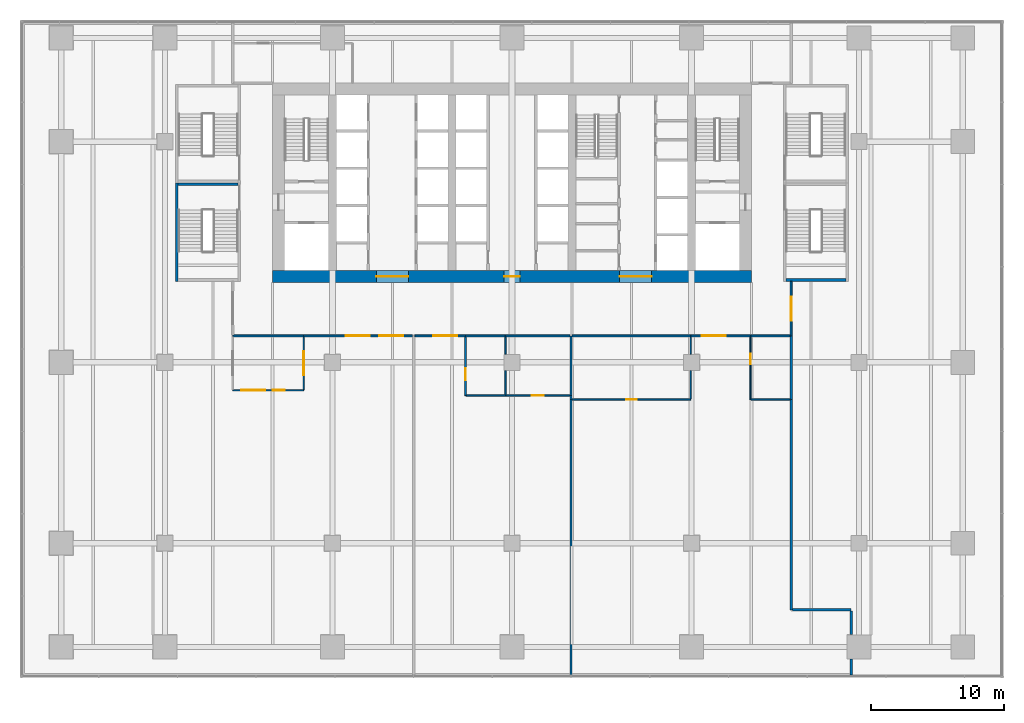
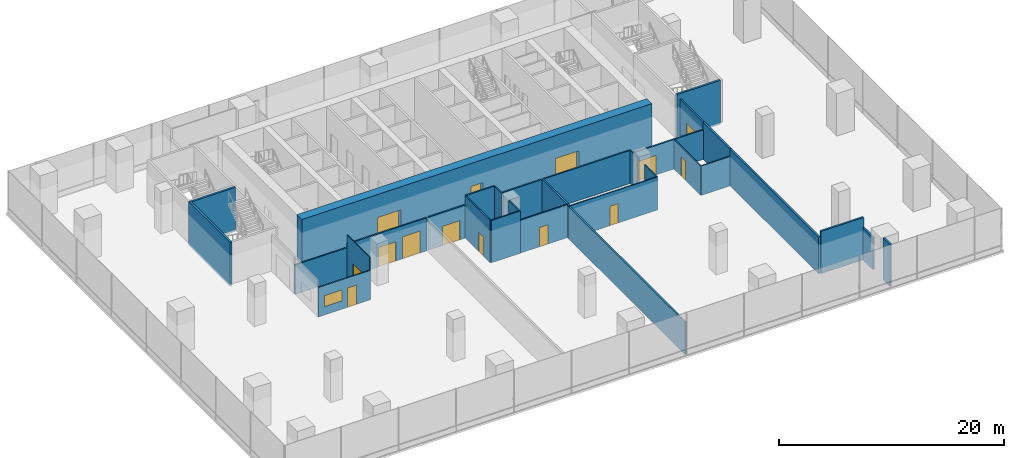
# One storey, part 19 of 28: 33 walls, 12 doors, 3 windows, 15 openings.
"""IFC4 building model written with IfcOpenShell, lengths in metres."""

from ifc_helpers import new_model, si_unit, direction, frame, frame_2d, origin, place, context, subcontext, project, spatial, rectangle, extrude, material, layer, layer_set, type_object, element, fill, save


model = new_model("IFC4")

# Units and contexts
model_context = context("Model", 3, precision=1e-05, world=origin(), true_north=direction((0.0, 1.0)))
body_context = subcontext(model_context, "Body", "Model", "MODEL_VIEW")
ifc_project = project(units=[si_unit("LENGTHUNIT", "METRE"), si_unit("AREAUNIT", "SQUARE_METRE"), si_unit("VOLUMEUNIT", "CUBIC_METRE"), si_unit("PLANEANGLEUNIT", "RADIAN"), si_unit("MASSUNIT", "GRAM", prefix="KILO")], contexts=[model_context])

# Site, building, storey
site_placement = place(None, origin())
site = spatial("IfcSite", under=ifc_project, at=site_placement, CompositionType="ELEMENT")
building_placement = place(site_placement, origin())
building = spatial("IfcBuilding", under=site, at=building_placement, Name="Rattan Terrace Tower", CompositionType="ELEMENT")
storey_placement = place(building_placement, frame((0.0, 0.0, 22.199951171875)))
storey = spatial("IfcBuildingStorey", under=building, at=storey_placement, Name="L04", CompositionType="ELEMENT", Elevation=22.199951171875)

# Wall, openings, doors
ifc_material_1 = material(Name="Concrete C70/85", Category="concrete")
ifc_layer_1 = layer(ifc_material_1, 0.89990234375)
ifc_layer_set_1 = layer_set([ifc_layer_1], Name="Core ring wall 900 C70/85")
wall_type_1 = type_object("IfcWallType", Name="Core ring wall 900 C70/85", PredefinedType="SHEAR", material=ifc_layer_set_1)
wall_1_placement = place(storey_placement, frame((-18.0, -7.050048828125, -0.199951171875), z_axis=(0.0, 0.0, 1.0), x_axis=(1.0, 0.0, 0.0)))
wall_1 = element("IfcWall", 1, at=wall_1_placement, inside=storey, type_object=wall_type_1, Name="Rear core wall south", PredefinedType="SHEAR", context=body_context, shape_type="SweptSolid", body=[
    extrude(rectangle(XDim=36.0, YDim=0.89990234375, at=frame_2d((18.0, 0.0))), origin(), (0.0, 0.0, 1.0), 4.800048828125),
])
opening_1_placement = place(wall_1_placement, frame((7.800048828125, 0.0, 0.199951171875)))
opening_1 = element("IfcOpeningElement", 2, at=opening_1_placement, cuts=wall_1, Name="Opening L04-D007", PredefinedType="OPENING", context=body_context, shape_type="SweptSolid", body=[
    extrude(rectangle(XDim=2.39990234375, YDim=2.10009765625, at=frame_2d((1.199951171875, 1.050048828125))), frame((0.0, 0.46044921875, 0.0), z_axis=(0.0, -1.0, 0.0), x_axis=(1.0, 0.0, 0.0)), (0.0, 0.0, 1.0), 0.9208984375),
])
opening_2_placement = place(wall_1_placement, frame((17.39990234375, 0.0, 0.199951171875)))
opening_2 = element("IfcOpeningElement", 3, at=opening_2_placement, cuts=wall_1, Name="Opening L04-D010", PredefinedType="OPENING", context=body_context, shape_type="SweptSolid", body=[
    extrude(rectangle(XDim=1.199951171875, YDim=2.10009765625, at=frame_2d((0.60009765625, 1.050048828125))), frame((0.0, 0.46044921875, 0.0), z_axis=(0.0, -1.0, 0.0), x_axis=(1.0, 0.0, 0.0)), (0.0, 0.0, 1.0), 0.9208984375),
])
opening_3_placement = place(wall_1_placement, frame((26.10009765625, 0.0, 0.199951171875)))
opening_3 = element("IfcOpeningElement", 4, at=opening_3_placement, cuts=wall_1, Name="Opening L04-D016", PredefinedType="OPENING", context=body_context, shape_type="SweptSolid", body=[
    extrude(rectangle(XDim=2.39990234375, YDim=2.10009765625, at=frame_2d((1.199951171875, 1.050048828125))), frame((0.0, 0.46044921875, 0.0), z_axis=(0.0, -1.0, 0.0), x_axis=(1.0, 0.0, 0.0)), (0.0, 0.0, 1.0), 0.9208984375),
])
ifc_material_2 = material(Name="Hollow-metal fire door leaf")
door_type_1 = type_object("IfcDoorType", Name="Core lift lobby door 2400", OperationType="NOTDEFINED", PredefinedType="DOOR", material=ifc_material_2)
door_1_placement = place(opening_1_placement, origin())
door_1 = element("IfcDoor", 5, at=door_1_placement, inside=storey, type_object=door_type_1, Name="Door L04-D007", OperationType="DOUBLE_DOOR_DOUBLE_SWING", OverallHeight=2.10009765625, OverallWidth=2.39990234375, PredefinedType="DOOR", context=body_context, shape_type="SweptSolid", body=[
    extrude(rectangle(XDim=2.39990234375, YDim=2.10009765625, at=frame_2d((1.199951171875, 1.050048828125))), frame((0.0, 0.02490234375, 0.0), z_axis=(0.0, -1.0, 0.0), x_axis=(1.0, 0.0, 0.0)), (0.0, 0.0, 1.0), 0.050048828125),
])
fill(opening_1, door_1)
door_2_placement = place(opening_3_placement, origin())
door_2 = element("IfcDoor", 6, at=door_2_placement, inside=storey, type_object=door_type_1, Name="Door L04-D016", OperationType="DOUBLE_DOOR_DOUBLE_SWING", OverallHeight=2.10009765625, OverallWidth=2.39990234375, PredefinedType="DOOR", context=body_context, shape_type="SweptSolid", body=[
    extrude(rectangle(XDim=2.39990234375, YDim=2.10009765625, at=frame_2d((1.199951171875, 1.050048828125))), frame((0.0, 0.02490234375, 0.0), z_axis=(0.0, -1.0, 0.0), x_axis=(1.0, 0.0, 0.0)), (0.0, 0.0, 1.0), 0.050048828125),
])
fill(opening_3, door_2)
ifc_material_3 = material(Name="Hollow-metal fire door leaf")
door_type_2 = type_object("IfcDoorType", Name="Core riser door 1200", OperationType="NOTDEFINED", PredefinedType="DOOR", material=ifc_material_3)
door_3_placement = place(opening_2_placement, origin())
door_3 = element("IfcDoor", 7, at=door_3_placement, inside=storey, type_object=door_type_2, Name="Door L04-D010", OperationType="SINGLE_SWING_RIGHT", OverallHeight=2.10009765625, OverallWidth=1.199951171875, PredefinedType="DOOR", context=body_context, shape_type="SweptSolid", body=[
    extrude(rectangle(XDim=1.199951171875, YDim=2.10009765625, at=frame_2d((0.60009765625, 1.050048828125))), frame((0.0, 0.02490234375, 0.0), z_axis=(0.0, -1.0, 0.0), x_axis=(1.0, 0.0, 0.0)), (0.0, 0.0, 1.0), 0.050048828125),
])
fill(opening_2, door_3)

# Walls
ifc_material_4 = material(Name="Double steel stud acoustic partition, gypsum board, mineral wool, fire rated", Category="steel")
ifc_layer_2 = layer(ifc_material_4, 0.179931640625)
ifc_layer_set_2 = layer_set([ifc_layer_2], Name="Floors Acoustic Party Wall 180")
wall_type_2 = type_object("IfcWallType", Name="Floors Acoustic Party Wall 180", PredefinedType="PARTITIONING", material=ifc_layer_set_2)
wall_2_placement = place(storey_placement, frame((4.43994140625, -16.280029296875, 0.0), z_axis=(0.0, 0.0, 1.0), x_axis=(0.0, -1.0, 0.0)))
element("IfcWall", 8, at=wall_2_placement, inside=storey, type_object=wall_type_2, Name="pt-L04-022", PredefinedType="PARTITIONING", context=body_context, shape_type="SweptSolid", body=[
    extrude(rectangle(XDim=20.7099609375, YDim=0.179931640625, at=frame_2d((10.35498046875, 0.0))), origin(), (0.0, 0.0, 1.0), 3.5),
])
wall_3_placement = place(storey_placement, frame((4.43994140625, -16.0, 0.0), z_axis=(0.0, 0.0, 1.0), x_axis=(0.0, -1.0, 0.0)))
element("IfcWall", 9, at=wall_3_placement, inside=storey, type_object=wall_type_2, Name="pt-L04-023", PredefinedType="PARTITIONING", context=body_context, shape_type="SweptSolid", body=[
    extrude(rectangle(XDim=0.280029296875, YDim=0.179931640625, at=frame_2d((0.14013671875, 0.0))), origin(), (0.0, 0.0, 1.0), 3.60009765625),
])
wall_4_placement = place(storey_placement, frame((4.43994140625, -11.5, 0.0), z_axis=(0.0, 0.0, 1.0), x_axis=(0.0, -1.0, 0.0)))
element("IfcWall", 10, at=wall_4_placement, inside=storey, type_object=wall_type_2, Name="pt-L04-026", PredefinedType="PARTITIONING", context=body_context, shape_type="SweptSolid", body=[
    extrude(rectangle(XDim=4.5, YDim=0.179931640625, at=frame_2d((2.25, 0.0))), origin(), (0.0, 0.0, 1.0), 3.60009765625),
])
wall_5_placement = place(storey_placement, frame((21.0, -16.300048828125, 0.0), z_axis=(0.0, 0.0, 1.0), x_axis=(0.0, -1.0, 0.0)))
element("IfcWall", 11, at=wall_5_placement, inside=storey, type_object=wall_type_2, Name="pt-L04-032", PredefinedType="PARTITIONING", context=body_context, shape_type="SweptSolid", body=[
    extrude(rectangle(XDim=15.81005859375, YDim=0.179931640625, at=frame_2d((7.905029296875, 0.0))), origin(), (0.0, 0.0, 1.0), 4.0),
])
wall_6_placement = place(storey_placement, frame((21.090087890625, -32.110107421875, 0.0), z_axis=(0.0, 0.0, 1.0), x_axis=(1.0, 0.0, 0.0)))
element("IfcWall", 12, at=wall_6_placement, inside=storey, type_object=wall_type_2, Name="pt-L04-033", PredefinedType="PARTITIONING", context=body_context, shape_type="SweptSolid", body=[
    extrude(rectangle(XDim=4.409912109375, YDim=0.179931640625, at=frame_2d((2.205078125, 0.0))), origin(), (0.0, 0.0, 1.0), 4.60009765625),
])
wall_7_placement = place(storey_placement, frame((25.5, -35.820068359375, 0.0), z_axis=(0.0, 0.0, 1.0), x_axis=(0.0, -1.0, 0.0)))
element("IfcWall", 13, at=wall_7_placement, inside=storey, type_object=wall_type_2, Name="pt-L04-034", PredefinedType="PARTITIONING", context=body_context, shape_type="SweptSolid", body=[
    extrude(rectangle(XDim=1.169921875, YDim=0.179931640625, at=frame_2d((0.5849609375, 0.0))), origin(), (0.0, 0.0, 1.0), 4.60009765625),
])
wall_8_placement = place(storey_placement, frame((25.5, -32.199951171875, 0.0), z_axis=(0.0, 0.0, 1.0), x_axis=(0.0, -1.0, 0.0)))
element("IfcWall", 14, at=wall_8_placement, inside=storey, type_object=wall_type_2, Name="pt-L04-035", PredefinedType="PARTITIONING", context=body_context, shape_type="SweptSolid", body=[
    extrude(rectangle(XDim=1.780029296875, YDim=0.179931640625, at=frame_2d((0.89013671875, 0.0))), origin(), (0.0, 0.0, 1.0), 3.5),
])
wall_9_placement = place(storey_placement, frame((21.0, -11.5, 0.0), z_axis=(0.0, 0.0, 1.0), x_axis=(0.0, -1.0, 0.0)))
element("IfcWall", 15, at=wall_9_placement, inside=storey, type_object=wall_type_2, Name="pt-L04-036", PredefinedType="PARTITIONING", context=body_context, shape_type="SweptSolid", body=[
    extrude(rectangle(XDim=4.800048828125, YDim=0.179931640625, at=frame_2d((2.39990234375, 0.0))), origin(), (0.0, 0.0, 1.0), 4.0),
])

# Wall, openings, door, window
ifc_material_5 = material(Name="Gypsum board partition on steel studs", Category="steel")
ifc_layer_3 = layer(ifc_material_5, 0.10009765625)
ifc_layer_set_3 = layer_set([ifc_layer_3], Name="Floors Partition 100")
wall_type_3 = type_object("IfcWallType", Name="Floors Partition 100", PredefinedType="PARTITIONING", material=ifc_layer_set_3)
wall_10_placement = place(storey_placement, frame((-21.0, -15.593994140625, 0.0), z_axis=(0.0, 0.0, 1.0), x_axis=(1.0, 0.0, 0.0)))
wall_10 = element("IfcWall", 16, at=wall_10_placement, inside=storey, type_object=wall_type_3, Name="pt-L04-014", PredefinedType="PARTITIONING", context=body_context, shape_type="SweptSolid", body=[
    extrude(rectangle(XDim=5.340087890625, YDim=0.10009765625, at=frame_2d((2.669921875, 0.0))), origin(), (0.0, 0.0, 1.0), 3.199951171875),
])
opening_4_placement = place(wall_10_placement, frame((3.008056640625, 0.0, 0.0)))
opening_4 = element("IfcOpeningElement", 17, at=opening_4_placement, cuts=wall_10, Name="Opening L04-D101", PredefinedType="OPENING", context=body_context, shape_type="SweptSolid", body=[
    extrude(rectangle(XDim=0.89990234375, YDim=2.10009765625, at=frame_2d((0.449951171875, 1.050048828125))), frame((0.0, 0.060546875, 0.0), z_axis=(0.0, -1.0, 0.0), x_axis=(1.0, 0.0, 0.0)), (0.0, 0.0, 1.0), 0.12109375),
])
opening_5_placement = place(wall_10_placement, frame((0.62890625, 0.0, 0.89990234375)))
opening_5 = element("IfcOpeningElement", 18, at=opening_5_placement, cuts=wall_10, Name="Opening L04-W103", PredefinedType="OPENING", context=body_context, shape_type="SweptSolid", body=[
    extrude(rectangle(XDim=1.800048828125, YDim=1.199951171875, at=frame_2d((0.89990234375, 0.60009765625))), frame((0.0, 0.060546875, 0.0), z_axis=(0.0, -1.0, 0.0), x_axis=(1.0, 0.0, 0.0)), (0.0, 0.0, 1.0), 0.12109375),
])
ifc_material_6 = material(Name="Solid core timber door, painted", Category="wood")
door_type_3 = type_object("IfcDoorType", Name="Floors Door 900x2100", OperationType="NOTDEFINED", PredefinedType="DOOR", material=ifc_material_6)
door_4_placement = place(opening_4_placement, origin())
door_4 = element("IfcDoor", 19, at=door_4_placement, inside=storey, type_object=door_type_3, Name="d-L04-101", OperationType="SINGLE_SWING_RIGHT", OverallHeight=2.10009765625, OverallWidth=0.89990234375, PredefinedType="DOOR", context=body_context, shape_type="SweptSolid", body=[
    extrude(rectangle(XDim=0.89990234375, YDim=2.10009765625, at=frame_2d((0.449951171875, 1.050048828125))), frame((0.0, 0.02490234375, 0.0), z_axis=(0.0, -1.0, 0.0), x_axis=(1.0, 0.0, 0.0)), (0.0, 0.0, 1.0), 0.050048828125),
])
fill(opening_4, door_4)
ifc_material_7 = material(Name="Glass, clear, fixed in aluminium frame", Category="aluminium")
window_type_1 = type_object("IfcWindowType", Name="Interior Vision Window 1800x1200", PartitioningType="SINGLE_PANEL", PredefinedType="WINDOW", material=ifc_material_7)
window_1_placement = place(opening_5_placement, origin())
window_1 = element("IfcWindow", 20, at=window_1_placement, inside=storey, type_object=window_type_1, Name="w-L04-103", OverallHeight=1.199951171875, OverallWidth=1.800048828125, PartitioningType="SINGLE_PANEL", PredefinedType="WINDOW", context=body_context, shape_type="SweptSolid", body=[
    extrude(rectangle(XDim=1.800048828125, YDim=1.199951171875, at=frame_2d((0.89990234375, 0.60009765625))), frame((0.0, 0.030029296875, 0.0), z_axis=(0.0, -1.0, 0.0), x_axis=(1.0, 0.0, 0.0)), (0.0, 0.0, 1.0), 0.06005859375),
])
fill(opening_5, window_1)

# Wall, opening, window
wall_11_placement = place(storey_placement, frame((-15.659912109375, -15.5439453125, 0.0), z_axis=(0.0, 0.0, 1.0), x_axis=(0.0, 1.0, 0.0)))
wall_11 = element("IfcWall", 21, at=wall_11_placement, inside=storey, type_object=wall_type_3, Name="pt-L04-015", PredefinedType="PARTITIONING", context=body_context, shape_type="SweptSolid", body=[
    extrude(rectangle(XDim=3.968994140625, YDim=0.10009765625, at=frame_2d((1.984375, 0.0))), origin(), (0.0, 0.0, 1.0), 4.60009765625),
])
opening_6_placement = place(wall_11_placement, frame((1.083984375, 0.0, 0.89990234375)))
opening_6 = element("IfcOpeningElement", 22, at=opening_6_placement, cuts=wall_11, Name="Opening L04-W104", PredefinedType="OPENING", context=body_context, shape_type="SweptSolid", body=[
    extrude(rectangle(XDim=1.800048828125, YDim=1.199951171875, at=frame_2d((0.89990234375, 0.60009765625))), frame((0.0, 0.060546875, 0.0), z_axis=(0.0, -1.0, 0.0), x_axis=(1.0, 0.0, 0.0)), (0.0, 0.0, 1.0), 0.12109375),
])
window_2_placement = place(opening_6_placement, origin())
window_2 = element("IfcWindow", 23, at=window_2_placement, inside=storey, type_object=window_type_1, Name="w-L04-104", OverallHeight=1.199951171875, OverallWidth=1.800048828125, PartitioningType="SINGLE_PANEL", PredefinedType="WINDOW", context=body_context, shape_type="SweptSolid", body=[
    extrude(rectangle(XDim=1.800048828125, YDim=1.199951171875, at=frame_2d((0.89990234375, 0.60009765625))), frame((0.0, 0.030029296875, 0.0), z_axis=(0.0, -1.0, 0.0), x_axis=(1.0, 0.0, 0.0)), (0.0, 0.0, 1.0), 0.06005859375),
])
fill(opening_6, window_2)

# Wall, opening, door
wall_12_placement = place(storey_placement, frame((-0.47998046875, -16.0, 0.0), z_axis=(0.0, 0.0, 1.0), x_axis=(1.0, 0.0, 0.0)))
wall_12 = element("IfcWall", 24, at=wall_12_placement, inside=storey, type_object=wall_type_3, Name="pt-L04-021", PredefinedType="PARTITIONING", context=body_context, shape_type="SweptSolid", body=[
    extrude(rectangle(XDim=4.830078125, YDim=0.10009765625, at=frame_2d((2.4150390625, 0.0))), origin(), (0.0, 0.0, 1.0), 3.60009765625),
])
opening_7_placement = place(wall_12_placement, frame((1.965087890625, 0.0, 0.0)))
opening_7 = element("IfcOpeningElement", 25, at=opening_7_placement, cuts=wall_12, Name="Opening L04-D104", PredefinedType="OPENING", context=body_context, shape_type="SweptSolid", body=[
    extrude(rectangle(XDim=0.89990234375, YDim=2.10009765625, at=frame_2d((0.449951171875, 1.050048828125))), frame((0.0, 0.060546875, 0.0), z_axis=(0.0, -1.0, 0.0), x_axis=(1.0, 0.0, 0.0)), (0.0, 0.0, 1.0), 0.12109375),
])
door_5_placement = place(opening_7_placement, origin())
door_5 = element("IfcDoor", 26, at=door_5_placement, inside=storey, type_object=door_type_3, Name="d-L04-104", OperationType="SINGLE_SWING_LEFT", OverallHeight=2.10009765625, OverallWidth=0.89990234375, PredefinedType="DOOR", context=body_context, shape_type="SweptSolid", body=[
    extrude(rectangle(XDim=0.89990234375, YDim=2.10009765625, at=frame_2d((0.449951171875, 1.050048828125))), frame((0.0, 0.02490234375, 0.0), z_axis=(0.0, -1.0, 0.0), x_axis=(1.0, 0.0, 0.0)), (0.0, 0.0, 1.0), 0.050048828125),
])
fill(opening_7, door_5)

wall_13_placement = place(storey_placement, frame((4.530029296875, -16.300048828125, 0.0), z_axis=(0.0, 0.0, 1.0), x_axis=(1.0, 0.0, 0.0)))
wall_13 = element("IfcWall", 27, at=wall_13_placement, inside=storey, type_object=wall_type_3, Name="pt-L04-027", PredefinedType="PARTITIONING", context=body_context, shape_type="SweptSolid", body=[
    extrude(rectangle(XDim=8.909912109375, YDim=0.10009765625, at=frame_2d((4.455078125, 0.0))), origin(), (0.0, 0.0, 1.0), 3.60009765625),
])
opening_8_placement = place(wall_13_placement, frame((4.054931640625, 0.0, 0.0)))
opening_8 = element("IfcOpeningElement", 28, at=opening_8_placement, cuts=wall_13, Name="Opening L04-D106", PredefinedType="OPENING", context=body_context, shape_type="SweptSolid", body=[
    extrude(rectangle(XDim=0.800048828125, YDim=2.10009765625, at=frame_2d((0.39990234375, 1.050048828125))), frame((0.0, 0.060546875, 0.0), z_axis=(0.0, -1.0, 0.0), x_axis=(1.0, 0.0, 0.0)), (0.0, 0.0, 1.0), 0.12109375),
])
ifc_material_8 = material(Name="Solid core timber door, painted", Category="wood")
door_type_4 = type_object("IfcDoorType", Name="Floors Store Door 800x2100", OperationType="NOTDEFINED", PredefinedType="DOOR", material=ifc_material_8)
door_6_placement = place(opening_8_placement, origin())
door_6 = element("IfcDoor", 29, at=door_6_placement, inside=storey, type_object=door_type_4, Name="d-L04-106", OperationType="SINGLE_SWING_LEFT", OverallHeight=2.10009765625, OverallWidth=0.800048828125, PredefinedType="DOOR", context=body_context, shape_type="SweptSolid", body=[
    extrude(rectangle(XDim=0.800048828125, YDim=2.10009765625, at=frame_2d((0.39990234375, 1.050048828125))), frame((0.0, 0.02490234375, 0.0), z_axis=(0.0, -1.0, 0.0), x_axis=(1.0, 0.0, 0.0)), (0.0, 0.0, 1.0), 0.050048828125),
])
fill(opening_8, door_6)

# Walls
wall_14_placement = place(storey_placement, frame((13.43994140625, -12.8798828125, 0.0), z_axis=(0.0, 0.0, 1.0), x_axis=(0.0, 1.0, 0.0)))
element("IfcWall", 30, at=wall_14_placement, inside=storey, type_object=wall_type_3, Name="pt-L04-028", PredefinedType="PARTITIONING", context=body_context, shape_type="SweptSolid", body=[
    extrude(rectangle(XDim=1.304931640625, YDim=0.10009765625, at=frame_2d((0.65234375, 0.0))), origin(), (0.0, 0.0, 1.0), 3.60009765625),
])
wall_15_placement = place(storey_placement, frame((13.43994140625, -16.25, 0.0), z_axis=(0.0, 0.0, 1.0), x_axis=(0.0, 1.0, 0.0)))
element("IfcWall", 31, at=wall_15_placement, inside=storey, type_object=wall_type_3, Name="pt-L04-029", PredefinedType="PARTITIONING", context=body_context, shape_type="SweptSolid", body=[
    extrude(rectangle(XDim=2.1298828125, YDim=0.10009765625, at=frame_2d((1.06494140625, 0.0))), origin(), (0.0, 0.0, 1.0), 3.60009765625),
])

# Wall, opening, door
wall_16_placement = place(storey_placement, frame((17.93994140625, -11.574951171875, 0.0), z_axis=(0.0, 0.0, 1.0), x_axis=(0.0, -1.0, 0.0)))
wall_16 = element("IfcWall", 32, at=wall_16_placement, inside=storey, type_object=wall_type_3, Name="pt-L04-030", PredefinedType="PARTITIONING", context=body_context, shape_type="SweptSolid", body=[
    extrude(rectangle(XDim=4.72509765625, YDim=0.10009765625, at=frame_2d((2.362548828125, 0.0))), origin(), (0.0, 0.0, 1.0), 3.199951171875),
])
opening_9_placement = place(wall_16_placement, frame((1.278076171875, 0.0, 0.0)))
opening_9 = element("IfcOpeningElement", 33, at=opening_9_placement, cuts=wall_16, Name="Opening L04-D107", PredefinedType="OPENING", context=body_context, shape_type="SweptSolid", body=[
    extrude(rectangle(XDim=0.800048828125, YDim=2.10009765625, at=frame_2d((0.39990234375, 1.050048828125))), frame((0.0, 0.060546875, 0.0), z_axis=(0.0, -1.0, 0.0), x_axis=(1.0, 0.0, 0.0)), (0.0, 0.0, 1.0), 0.12109375),
])
door_7_placement = place(opening_9_placement, origin())
door_7 = element("IfcDoor", 34, at=door_7_placement, inside=storey, type_object=door_type_4, Name="d-L04-107", OperationType="SINGLE_SWING_LEFT", OverallHeight=2.10009765625, OverallWidth=0.800048828125, PredefinedType="DOOR", context=body_context, shape_type="SweptSolid", body=[
    extrude(rectangle(XDim=0.800048828125, YDim=2.10009765625, at=frame_2d((0.39990234375, 1.050048828125))), frame((0.0, 0.02490234375, 0.0), z_axis=(0.0, -1.0, 0.0), x_axis=(1.0, 0.0, 0.0)), (0.0, 0.0, 1.0), 0.050048828125),
])
fill(opening_9, door_7)

# Wall
wall_17_placement = place(storey_placement, frame((17.989990234375, -16.300048828125, 0.0), z_axis=(0.0, 0.0, 1.0), x_axis=(1.0, 0.0, 0.0)))
element("IfcWall", 35, at=wall_17_placement, inside=storey, type_object=wall_type_3, Name="pt-L04-031", PredefinedType="PARTITIONING", context=body_context, shape_type="SweptSolid", body=[
    extrude(rectangle(XDim=2.919921875, YDim=0.10009765625, at=frame_2d((1.4599609375, 0.0))), origin(), (0.0, 0.0, 1.0), 3.199951171875),
])

# Wall, openings, door, window
ifc_material_9 = material(Name="Gypsum board partition on steel studs, fire rated", Category="steel")
ifc_layer_4 = layer(ifc_material_9, 0.14990234375)
ifc_layer_set_4 = layer_set([ifc_layer_4], Name="Floors Tenancy Wall 150")
wall_type_4 = type_object("IfcWallType", Name="Floors Tenancy Wall 150", PredefinedType="PARTITIONING", material=ifc_layer_set_4)
wall_18_placement = place(storey_placement, frame((-7.489990234375, -11.5, 0.0), z_axis=(0.0, 0.0, 1.0), x_axis=(-1.0, 0.0, 0.0)))
wall_18 = element("IfcWall", 36, at=wall_18_placement, inside=storey, type_object=wall_type_4, Name="pt-L04-002", PredefinedType="PARTITIONING", context=body_context, shape_type="SweptSolid", body=[
    extrude(rectangle(XDim=8.18994140625, YDim=0.14990234375, at=frame_2d((4.094970703125, 0.0))), origin(), (0.0, 0.0, 1.0), 3.60009765625),
])
opening_10_placement = place(wall_18_placement, frame((3.195068359375, 0.0, 0.0)))
opening_10 = element("IfcOpeningElement", 37, at=opening_10_placement, cuts=wall_18, Name="Opening L04-D100", PredefinedType="OPENING", context=body_context, shape_type="SweptSolid", body=[
    extrude(rectangle(XDim=1.800048828125, YDim=2.10009765625, at=frame_2d((0.89990234375, 1.050048828125))), frame((0.0, 0.08544921875, 0.0), z_axis=(0.0, -1.0, 0.0), x_axis=(1.0, 0.0, 0.0)), (0.0, 0.0, 1.0), 0.1708984375),
])
opening_11_placement = place(wall_18_placement, frame((0.697998046875, 0.0, 0.0)))
opening_11 = element("IfcOpeningElement", 38, at=opening_11_placement, cuts=wall_18, Name="Opening L04-W101", PredefinedType="OPENING", context=body_context, shape_type="SweptSolid", body=[
    extrude(rectangle(XDim=1.800048828125, YDim=2.39990234375, at=frame_2d((0.89990234375, 1.199951171875))), frame((0.0, 0.08544921875, 0.0), z_axis=(0.0, -1.0, 0.0), x_axis=(1.0, 0.0, 0.0)), (0.0, 0.0, 1.0), 0.1708984375),
])
ifc_material_10 = material(Name="Steel fire door set", Category="steel")
door_type_5 = type_object("IfcDoorType", Name="Floors Fire Door Pair FD30S 1800x2100", OperationType="NOTDEFINED", PredefinedType="DOOR", material=ifc_material_10)
door_8_placement = place(opening_10_placement, origin())
door_8 = element("IfcDoor", 39, at=door_8_placement, inside=storey, type_object=door_type_5, Name="d-L04-100", OperationType="DOUBLE_DOOR_SINGLE_SWING", OverallHeight=2.10009765625, OverallWidth=1.800048828125, PredefinedType="DOOR", context=body_context, shape_type="SweptSolid", body=[
    extrude(rectangle(XDim=1.800048828125, YDim=2.10009765625, at=frame_2d((0.89990234375, 1.050048828125))), frame((0.0, 0.02490234375, 0.0), z_axis=(0.0, -1.0, 0.0), x_axis=(1.0, 0.0, 0.0)), (0.0, 0.0, 1.0), 0.050048828125),
])
fill(opening_10, door_8)
ifc_material_11 = material(Name="Glass, clear, fixed in aluminium frame", Category="aluminium")
window_type_2 = type_object("IfcWindowType", Name="Interior Glazed Screen 1800x2400", PartitioningType="SINGLE_PANEL", PredefinedType="WINDOW", material=ifc_material_11)
window_3_placement = place(opening_11_placement, origin())
window_3 = element("IfcWindow", 40, at=window_3_placement, inside=storey, type_object=window_type_2, Name="w-L04-101", OverallHeight=2.39990234375, OverallWidth=1.800048828125, PartitioningType="SINGLE_PANEL", PredefinedType="WINDOW", context=body_context, shape_type="SweptSolid", body=[
    extrude(rectangle(XDim=1.800048828125, YDim=2.39990234375, at=frame_2d((0.89990234375, 1.199951171875))), frame((0.0, 0.030029296875, 0.0), z_axis=(0.0, -1.0, 0.0), x_axis=(1.0, 0.0, 0.0)), (0.0, 0.0, 1.0), 0.06005859375),
])
fill(opening_11, window_3)

# Wall
wall_19_placement = place(storey_placement, frame((-15.679931640625, -11.5, 0.0), z_axis=(0.0, 0.0, 1.0), x_axis=(-1.0, 0.0, 0.0)))
element("IfcWall", 41, at=wall_19_placement, inside=storey, type_object=wall_type_4, Name="pt-L04-003", PredefinedType="PARTITIONING", context=body_context, shape_type="SweptSolid", body=[
    extrude(rectangle(XDim=5.320068359375, YDim=0.14990234375, at=frame_2d((2.66015625, 0.0))), origin(), (0.0, 0.0, 1.0), 3.199951171875),
])

# Wall, opening, door
wall_20_placement = place(storey_placement, frame((-3.47998046875, -11.5, 0.0), z_axis=(0.0, 0.0, 1.0), x_axis=(-1.0, 0.0, 0.0)))
wall_20 = element("IfcWall", 42, at=wall_20_placement, inside=storey, type_object=wall_type_4, Name="pt-L04-004", PredefinedType="PARTITIONING", context=body_context, shape_type="SweptSolid", body=[
    extrude(rectangle(XDim=3.830078125, YDim=0.14990234375, at=frame_2d((1.9150390625, 0.0))), origin(), (0.0, 0.0, 1.0), 3.60009765625),
])
opening_12_placement = place(wall_20_placement, frame((0.632080078125, 0.0, 0.0)))
opening_12 = element("IfcOpeningElement", 43, at=opening_12_placement, cuts=wall_20, Name="Opening L04-D102", PredefinedType="OPENING", context=body_context, shape_type="SweptSolid", body=[
    extrude(rectangle(XDim=1.800048828125, YDim=2.10009765625, at=frame_2d((0.89990234375, 1.050048828125))), frame((0.0, 0.08544921875, 0.0), z_axis=(0.0, -1.0, 0.0), x_axis=(1.0, 0.0, 0.0)), (0.0, 0.0, 1.0), 0.1708984375),
])
door_9_placement = place(opening_12_placement, origin())
door_9 = element("IfcDoor", 44, at=door_9_placement, inside=storey, type_object=door_type_5, Name="d-L04-102", OperationType="DOUBLE_DOOR_SINGLE_SWING", OverallHeight=2.10009765625, OverallWidth=1.800048828125, PredefinedType="DOOR", context=body_context, shape_type="SweptSolid", body=[
    extrude(rectangle(XDim=1.800048828125, YDim=2.10009765625, at=frame_2d((0.89990234375, 1.050048828125))), frame((0.0, 0.02490234375, 0.0), z_axis=(0.0, -1.0, 0.0), x_axis=(1.0, 0.0, 0.0)), (0.0, 0.0, 1.0), 0.050048828125),
])
fill(opening_12, door_9)

# Walls
wall_21_placement = place(storey_placement, frame((-0.52001953125, -11.5, 0.0), z_axis=(0.0, 0.0, 1.0), x_axis=(-1.0, 0.0, 0.0)))
element("IfcWall", 45, at=wall_21_placement, inside=storey, type_object=wall_type_4, Name="pt-L04-005", PredefinedType="PARTITIONING", context=body_context, shape_type="SweptSolid", body=[
    extrude(rectangle(XDim=2.9599609375, YDim=0.14990234375, at=frame_2d((1.47998046875, 0.0))), origin(), (0.0, 0.0, 1.0), 4.60009765625),
])
wall_22_placement = place(storey_placement, frame((4.35009765625, -11.5, 0.0), z_axis=(0.0, 0.0, 1.0), x_axis=(-1.0, 0.0, 0.0)))
element("IfcWall", 46, at=wall_22_placement, inside=storey, type_object=wall_type_4, Name="pt-L04-006", PredefinedType="PARTITIONING", context=body_context, shape_type="SweptSolid", body=[
    extrude(rectangle(XDim=4.8701171875, YDim=0.14990234375, at=frame_2d((2.43505859375, 0.0))), origin(), (0.0, 0.0, 1.0), 3.60009765625),
])

# Wall, opening, door
wall_23_placement = place(storey_placement, frame((17.9599609375, -11.5, 0.0), z_axis=(0.0, 0.0, 1.0), x_axis=(-1.0, 0.0, 0.0)))
wall_23 = element("IfcWall", 47, at=wall_23_placement, inside=storey, type_object=wall_type_4, Name="pt-L04-007", PredefinedType="PARTITIONING", context=body_context, shape_type="SweptSolid", body=[
    extrude(rectangle(XDim=4.5, YDim=0.14990234375, at=frame_2d((2.25, 0.0))), origin(), (0.0, 0.0, 1.0), 3.199951171875),
])
opening_13_placement = place(wall_23_placement, frame((1.89990234375, 0.0, 0.0)))
opening_13 = element("IfcOpeningElement", 48, at=opening_13_placement, cuts=wall_23, Name="Opening L04-D105", PredefinedType="OPENING", context=body_context, shape_type="SweptSolid", body=[
    extrude(rectangle(XDim=1.800048828125, YDim=2.10009765625, at=frame_2d((0.89990234375, 1.050048828125))), frame((0.0, 0.08544921875, 0.0), z_axis=(0.0, -1.0, 0.0), x_axis=(1.0, 0.0, 0.0)), (0.0, 0.0, 1.0), 0.1708984375),
])
door_10_placement = place(opening_13_placement, origin())
door_10 = element("IfcDoor", 49, at=door_10_placement, inside=storey, type_object=door_type_5, Name="d-L04-105", OperationType="DOUBLE_DOOR_SINGLE_SWING", OverallHeight=2.10009765625, OverallWidth=1.800048828125, PredefinedType="DOOR", context=body_context, shape_type="SweptSolid", body=[
    extrude(rectangle(XDim=1.800048828125, YDim=2.10009765625, at=frame_2d((0.89990234375, 1.050048828125))), frame((0.0, 0.02490234375, 0.0), z_axis=(0.0, -1.0, 0.0), x_axis=(1.0, 0.0, 0.0)), (0.0, 0.0, 1.0), 0.050048828125),
])
fill(opening_13, door_10)

# Walls
wall_24_placement = place(storey_placement, frame((13.4599609375, -11.5, 0.0), z_axis=(0.0, 0.0, 1.0), x_axis=(-1.0, 0.0, 0.0)))
element("IfcWall", 50, at=wall_24_placement, inside=storey, type_object=wall_type_4, Name="pt-L04-008", PredefinedType="PARTITIONING", context=body_context, shape_type="SweptSolid", body=[
    extrude(rectangle(XDim=8.929931640625, YDim=0.14990234375, at=frame_2d((4.46484375, 0.0))), origin(), (0.0, 0.0, 1.0), 3.60009765625),
])
wall_25_placement = place(storey_placement, frame((20.925048828125, -11.5, 0.0), z_axis=(0.0, 0.0, 1.0), x_axis=(-1.0, 0.0, 0.0)))
element("IfcWall", 51, at=wall_25_placement, inside=storey, type_object=wall_type_4, Name="pt-L04-009", PredefinedType="PARTITIONING", context=body_context, shape_type="SweptSolid", body=[
    extrude(rectangle(XDim=2.965087890625, YDim=0.14990234375, at=frame_2d((1.482421875, 0.0))), origin(), (0.0, 0.0, 1.0), 3.199951171875),
])

# Wall, opening, door
wall_26_placement = place(storey_placement, frame((21.0, -7.39990234375, 0.0), z_axis=(0.0, 0.0, 1.0), x_axis=(0.0, -1.0, 0.0)))
wall_26 = element("IfcWall", 52, at=wall_26_placement, inside=storey, type_object=wall_type_4, Name="pt-L04-010", PredefinedType="PARTITIONING", context=body_context, shape_type="SweptSolid", body=[
    extrude(rectangle(XDim=4.10009765625, YDim=0.14990234375, at=frame_2d((2.050048828125, 0.0))), origin(), (0.0, 0.0, 1.0), 4.0),
])
opening_14_placement = place(wall_26_placement, frame((1.14990234375, 0.0, 0.0)))
opening_14 = element("IfcOpeningElement", 53, at=opening_14_placement, cuts=wall_26, Name="Opening L04-D108", PredefinedType="OPENING", context=body_context, shape_type="SweptSolid", body=[
    extrude(rectangle(XDim=1.800048828125, YDim=2.10009765625, at=frame_2d((0.89990234375, 1.050048828125))), frame((0.0, 0.08544921875, 0.0), z_axis=(0.0, -1.0, 0.0), x_axis=(1.0, 0.0, 0.0)), (0.0, 0.0, 1.0), 0.1708984375),
])
door_11_placement = place(opening_14_placement, origin())
door_11 = element("IfcDoor", 54, at=door_11_placement, inside=storey, type_object=door_type_5, Name="d-L04-108", OperationType="DOUBLE_DOOR_SINGLE_SWING", OverallHeight=2.10009765625, OverallWidth=1.800048828125, PredefinedType="DOOR", context=body_context, shape_type="SweptSolid", body=[
    extrude(rectangle(XDim=1.800048828125, YDim=2.10009765625, at=frame_2d((0.89990234375, 1.050048828125))), frame((0.0, 0.02490234375, 0.0), z_axis=(0.0, -1.0, 0.0), x_axis=(1.0, 0.0, 0.0)), (0.0, 0.0, 1.0), 0.050048828125),
])
fill(opening_14, door_11)

ifc_material_12 = material(Name="Moisture resistant gypsum board partition on steel studs with service cavity", Category="steel")
ifc_layer_5 = layer(ifc_material_12, 0.1201171875)
ifc_layer_set_5 = layer_set([ifc_layer_5], Name="Floors Wet Wall 120")
wall_type_5 = type_object("IfcWallType", Name="Floors Wet Wall 120", PredefinedType="PARTITIONING", material=ifc_layer_set_5)
wall_27_placement = place(storey_placement, frame((-3.5, -11.574951171875, 0.0), z_axis=(0.0, 0.0, 1.0), x_axis=(0.0, -1.0, 0.0)))
wall_27 = element("IfcWall", 55, at=wall_27_placement, inside=storey, type_object=wall_type_5, Name="pt-L04-019", PredefinedType="PARTITIONING", context=body_context, shape_type="SweptSolid", body=[
    extrude(rectangle(XDim=4.425048828125, YDim=0.1201171875, at=frame_2d((2.21240234375, 0.0))), origin(), (0.0, 0.0, 1.0), 4.60009765625),
])
opening_15_placement = place(wall_27_placement, frame((2.367919921875, 0.0, 0.0)))
opening_15 = element("IfcOpeningElement", 56, at=opening_15_placement, cuts=wall_27, Name="Opening L04-D103", PredefinedType="OPENING", context=body_context, shape_type="SweptSolid", body=[
    extrude(rectangle(XDim=0.89990234375, YDim=2.10009765625, at=frame_2d((0.449951171875, 1.050048828125))), frame((0.0, 0.070556640625, 0.0), z_axis=(0.0, -1.0, 0.0), x_axis=(1.0, 0.0, 0.0)), (0.0, 0.0, 1.0), 0.14111328125),
])
door_12_placement = place(opening_15_placement, origin())
door_12 = element("IfcDoor", 57, at=door_12_placement, inside=storey, type_object=door_type_3, Name="d-L04-103", OperationType="SINGLE_SWING_RIGHT", OverallHeight=2.10009765625, OverallWidth=0.89990234375, PredefinedType="DOOR", context=body_context, shape_type="SweptSolid", body=[
    extrude(rectangle(XDim=0.89990234375, YDim=2.10009765625, at=frame_2d((0.449951171875, 1.050048828125))), frame((0.0, 0.02490234375, 0.0), z_axis=(0.0, -1.0, 0.0), x_axis=(1.0, 0.0, 0.0)), (0.0, 0.0, 1.0), 0.050048828125),
])
fill(opening_15, door_12)

# Walls
wall_28_placement = place(storey_placement, frame((-3.43994140625, -16.0009765625, 0.0), z_axis=(0.0, 0.0, 1.0), x_axis=(1.0, 0.0, 0.0)))
element("IfcWall", 58, at=wall_28_placement, inside=storey, type_object=wall_type_5, Name="pt-L04-020", PredefinedType="PARTITIONING", context=body_context, shape_type="SweptSolid", body=[
    extrude(rectangle(XDim=2.9599609375, YDim=0.1201171875, at=frame_2d((1.47998046875, 0.0))), origin(), (0.0, 0.0, 1.0), 4.60009765625),
])
wall_29_placement = place(storey_placement, frame((-0.5, -11.574951171875, 0.0), z_axis=(0.0, 0.0, 1.0), x_axis=(0.0, -1.0, 0.0)))
element("IfcWall", 59, at=wall_29_placement, inside=storey, type_object=wall_type_5, Name="pt-L04-024", PredefinedType="PARTITIONING", context=body_context, shape_type="SweptSolid", body=[
    extrude(rectangle(XDim=1.304931640625, YDim=0.1201171875, at=frame_2d((0.65234375, 0.0))), origin(), (0.0, 0.0, 1.0), 4.60009765625),
])
wall_30_placement = place(storey_placement, frame((-0.5, -14.1201171875, 0.0), z_axis=(0.0, 0.0, 1.0), x_axis=(0.0, -1.0, 0.0)))
element("IfcWall", 60, at=wall_30_placement, inside=storey, type_object=wall_type_5, Name="pt-L04-025", PredefinedType="PARTITIONING", context=body_context, shape_type="SweptSolid", body=[
    extrude(rectangle(XDim=1.82080078125, YDim=0.1201171875, at=frame_2d((0.910400390625, 0.0))), origin(), (0.0, 0.0, 1.0), 4.60009765625),
])
ifc_material_13 = material(Name="Concrete C40/50", Category="concrete")
ifc_layer_6 = layer(ifc_material_13, 0.199951171875)
ifc_layer_set_6 = layer_set([ifc_layer_6], Name="Podium exit stair shaft wall 200")
wall_type_6 = type_object("IfcWallType", Name="Podium exit stair shaft wall 200", PredefinedType="SHEAR", material=ifc_layer_set_6)
wall_31_placement = place(storey_placement, frame((-25.199951171875, -7.39990234375, -0.199951171875), z_axis=(0.0, 0.0, 1.0), x_axis=(0.0, 1.0, 0.0)))
element("IfcWall", 61, at=wall_31_placement, inside=storey, type_object=wall_type_6, Name="L04 stair S4 shaft wall", PredefinedType="SHEAR", context=body_context, shape_type="SweptSolid", body=[
    extrude(rectangle(XDim=7.39990234375, YDim=0.199951171875, at=frame_2d((3.699951171875, 0.0))), origin(), (0.0, 0.0, 1.0), 4.800048828125),
])
for number, where, z_axis, x_axis, name in (
    (62, (-25.10009765625, -0.10009765625, -0.199951171875), (0.0, 0.0, 1.0), (1.0, 0.0, 0.0), "L04 stair S4 shaft wall"),
    (63, (20.60009765625, -7.300048828125, -0.199951171875), (0.0, 0.0, 1.0), (1.0, 0.0, 0.0), "L04 stair S6 shaft wall"),
):
    element("IfcWall", number, at=place(storey_placement, frame(where, z_axis=z_axis, x_axis=x_axis)), inside=storey, type_object=wall_type_6, Name=name, PredefinedType="SHEAR", context=body_context, shape_type="SweptSolid", body=[
        extrude(rectangle(XDim=4.5, YDim=0.199951171875, at=frame_2d((2.25, 0.0))), origin(), (0.0, 0.0, 1.0), 4.800048828125),
    ])

save(model, "model.ifc")
